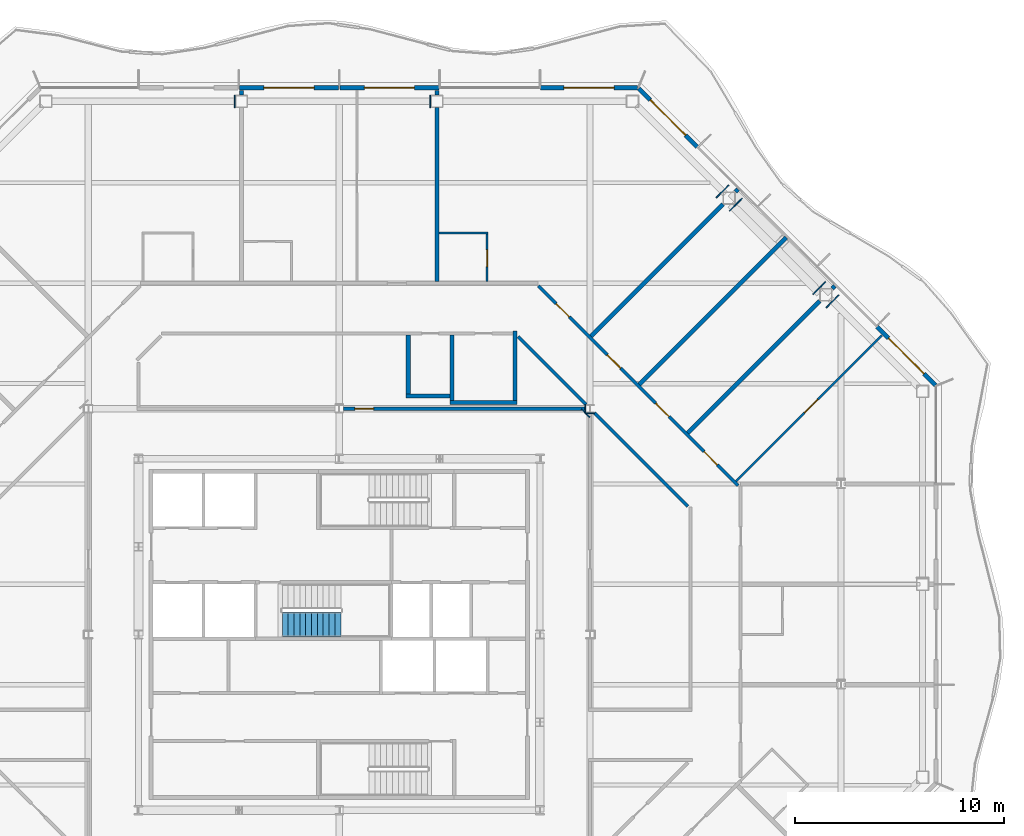
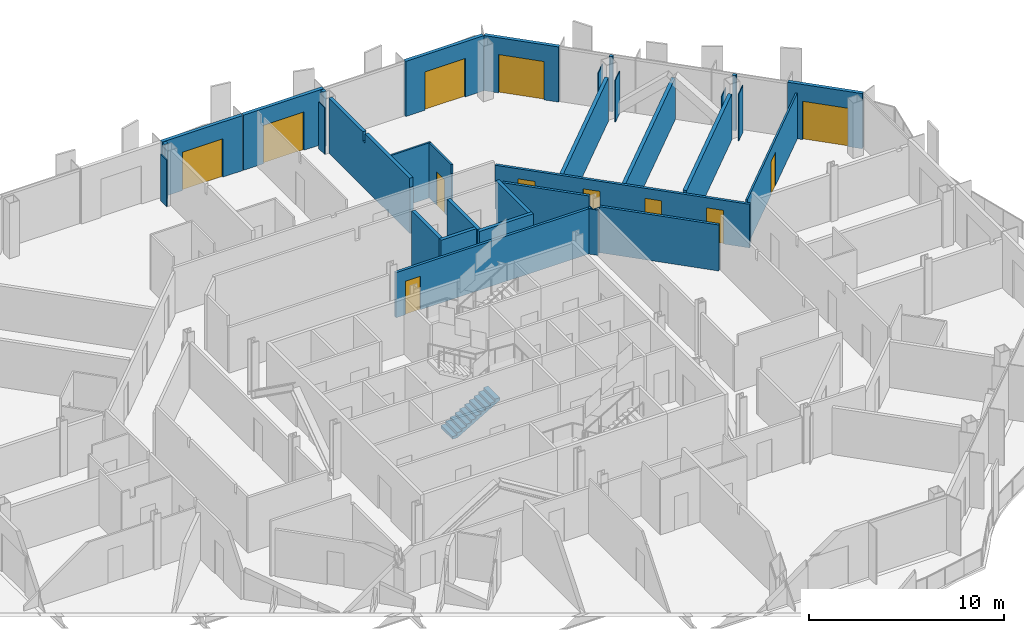
# One storey, part 13 of 21: 34 walls, 12 doors, 1 stair flight, 12 openings, 1 element without a shape of its own.
"""IFC4 building model written with IfcOpenShell, lengths in metres."""

from ifc_helpers import new_model, si_unit, direction, frame, frame_2d, origin, place, context, subcontext, project, spatial, polyline, rectangle, outline, extrude, material, layer, layer_set, type_object, element, fill, aggregate, save


model = new_model("IFC4")

# Units and contexts
model_context = context("Model", 3, precision=1e-05, world=origin(), true_north=direction((0.0, 1.0)))
body_context = subcontext(model_context, "Body", "Model", "MODEL_VIEW")
ifc_project = project(units=[si_unit("LENGTHUNIT", "METRE"), si_unit("AREAUNIT", "SQUARE_METRE"), si_unit("VOLUMEUNIT", "CUBIC_METRE"), si_unit("PLANEANGLEUNIT", "RADIAN"), si_unit("MASSUNIT", "GRAM", prefix="KILO")], contexts=[model_context])

# Site, building, storey
site_placement = place(None, origin())
site = spatial("IfcSite", under=ifc_project, at=site_placement, CompositionType="ELEMENT")
building_placement = place(site_placement, origin())
building = spatial("IfcBuilding", under=site, at=building_placement, Name="Cairn Pilgrim Tower", CompositionType="ELEMENT")
storey_placement = place(building_placement, frame((0.0, 0.0, 154.199951171875)))
storey = spatial("IfcBuildingStorey", under=building, at=storey_placement, Name="L38", CompositionType="ELEMENT", Elevation=154.199951171875)

# Wall, opening, door
ifc_material_1 = material(Name="Bronze anodised aluminium insulated sandwich panel with mineral wool fill", Category="aluminium")
ifc_layer_1 = layer(ifc_material_1, 0.199951171875)
ifc_layer_set_1 = layer_set([ifc_layer_1], Name="BRONZE INFILL FRAME WALL 200")
wall_type_1 = type_object("IfcWallType", Name="BRONZE INFILL FRAME WALL 200", PredefinedType="NOTDEFINED", material=ifc_layer_set_1)
wall_1_placement = place(storey_placement, frame((35.7216796875, 14.32470703125, 0.0), z_axis=(0.0, 0.0, 1.0), x_axis=(-0.707106781187, 0.707106781187, 0.0)))
wall_1 = element("IfcWall", 1, at=wall_1_placement, inside=storey, type_object=wall_type_1, Name="Bronze infill frame wall IW-NE1", PredefinedType="NOTDEFINED", context=body_context, shape_type="SweptSolid", body=[
    extrude(rectangle(XDim=3.961669921875, YDim=0.199951171875, at=frame_2d((1.98095703125, 0.0))), origin(), (0.0, 0.0, 1.0), 3.449951171875),
])
opening_1_placement = place(wall_1_placement, frame((0.775390625, 0.0, 0.0)))
opening_1 = element("IfcOpeningElement", 2, at=opening_1_placement, cuts=wall_1, Name="Opening 3821B", PredefinedType="OPENING", context=body_context, shape_type="SweptSolid", body=[
    extrude(rectangle(XDim=2.39990234375, YDim=2.39990234375, at=frame_2d((1.199951171875, 1.199951171875))), frame((0.0, 0.10986328125, 0.0), z_axis=(0.0, -1.0, 0.0), x_axis=(1.0, 0.0, 0.0)), (0.0, 0.0, 1.0), 0.219970703125),
])
ifc_material_2 = material(Name="Bronze anodised aluminium frame with tinted low-E glass", Category="aluminium")
door_type_1 = type_object("IfcDoorType", Name="BALCONY SLIDING DOOR 2400x2400", OperationType="DOUBLE_DOOR_SLIDING", PredefinedType="DOOR", material=ifc_material_2)
door_1_placement = place(opening_1_placement, origin())
door_1 = element("IfcDoor", 3, at=door_1_placement, inside=storey, type_object=door_type_1, Name="Balcony sliding door 3821B", OperationType="SINGLE_SWING_LEFT", OverallHeight=2.39990234375, OverallWidth=2.39990234375, PredefinedType="DOOR", context=body_context, shape_type="SweptSolid", body=[
    extrude(rectangle(XDim=2.39990234375, YDim=2.39990234375, at=frame_2d((1.199951171875, 1.199951171875))), frame((0.0, 0.02490234375, 0.0), z_axis=(0.0, -1.0, 0.0), x_axis=(1.0, 0.0, 0.0)), (0.0, 0.0, 1.0), 0.050048828125),
])
fill(opening_1, door_1)

wall_2_placement = place(storey_placement, frame((24.325927734375, 25.720458984375, 0.0), z_axis=(0.0, 0.0, 1.0), x_axis=(-0.707106781187, 0.707106781187, 0.0)))
wall_2 = element("IfcWall", 4, at=wall_2_placement, inside=storey, type_object=wall_type_1, Name="Bronze infill frame wall IW-NE5", PredefinedType="NOTDEFINED", context=body_context, shape_type="SweptSolid", body=[
    extrude(rectangle(XDim=3.961669921875, YDim=0.199951171875, at=frame_2d((1.98095703125, 0.0))), origin(), (0.0, 0.0, 1.0), 3.449951171875),
])
opening_2_placement = place(wall_2_placement, frame((0.78564453125, 0.0, 0.0)))
opening_2 = element("IfcOpeningElement", 5, at=opening_2_placement, cuts=wall_2, Name="Opening 3809B", PredefinedType="OPENING", context=body_context, shape_type="SweptSolid", body=[
    extrude(rectangle(XDim=2.39990234375, YDim=2.39990234375, at=frame_2d((1.199951171875, 1.199951171875))), frame((0.0, 0.10986328125, 0.0), z_axis=(0.0, -1.0, 0.0), x_axis=(1.0, 0.0, 0.0)), (0.0, 0.0, 1.0), 0.219970703125),
])
door_2_placement = place(opening_2_placement, origin())
door_2 = element("IfcDoor", 6, at=door_2_placement, inside=storey, type_object=door_type_1, Name="Balcony sliding door 3809B", OperationType="SINGLE_SWING_LEFT", OverallHeight=2.39990234375, OverallWidth=2.39990234375, PredefinedType="DOOR", context=body_context, shape_type="SweptSolid", body=[
    extrude(rectangle(XDim=2.39990234375, YDim=2.39990234375, at=frame_2d((1.199951171875, 1.199951171875))), frame((0.0, 0.02490234375, 0.0), z_axis=(0.0, -1.0, 0.0), x_axis=(1.0, 0.0, 0.0)), (0.0, 0.0, 1.0), 0.050048828125),
])
fill(opening_2, door_2)

wall_3_placement = place(storey_placement, frame((21.45654296875, 28.550048828125, 0.0), z_axis=(0.0, 0.0, 1.0), x_axis=(-1.0, 0.0, 0.0)))
wall_3 = element("IfcWall", 7, at=wall_3_placement, inside=storey, type_object=wall_type_1, Name="Bronze infill frame wall IW-N1", PredefinedType="NOTDEFINED", context=body_context, shape_type="SweptSolid", body=[
    extrude(rectangle(XDim=4.62646484375, YDim=0.199951171875, at=frame_2d((2.313232421875, 0.0))), origin(), (0.0, 0.0, 1.0), 3.449951171875),
])
opening_3_placement = place(wall_3_placement, frame((1.1083984375, 0.0, 0.0)))
opening_3 = element("IfcOpeningElement", 8, at=opening_3_placement, cuts=wall_3, Name="Opening 3809B2", PredefinedType="OPENING", context=body_context, shape_type="SweptSolid", body=[
    extrude(rectangle(XDim=2.39990234375, YDim=2.39990234375, at=frame_2d((1.199951171875, 1.199951171875))), frame((0.0, 0.10986328125, 0.0), z_axis=(0.0, -1.0, 0.0), x_axis=(1.0, 0.0, 0.0)), (0.0, 0.0, 1.0), 0.219970703125),
])
door_3_placement = place(opening_3_placement, origin())
door_3 = element("IfcDoor", 9, at=door_3_placement, inside=storey, type_object=door_type_1, Name="Balcony sliding door 3809B2", OperationType="SINGLE_SWING_LEFT", OverallHeight=2.39990234375, OverallWidth=2.39990234375, PredefinedType="DOOR", context=body_context, shape_type="SweptSolid", body=[
    extrude(rectangle(XDim=2.39990234375, YDim=2.39990234375, at=frame_2d((1.199951171875, 1.199951171875))), frame((0.0, 0.02490234375, 0.0), z_axis=(0.0, -1.0, 0.0), x_axis=(1.0, 0.0, 0.0)), (0.0, 0.0, 1.0), 0.050048828125),
])
fill(opening_3, door_3)

wall_4_placement = place(storey_placement, frame((11.969970703125, 28.550048828125, 0.0), z_axis=(0.0, 0.0, 1.0), x_axis=(-1.0, 0.0, 0.0)))
wall_4 = element("IfcWall", 10, at=wall_4_placement, inside=storey, type_object=wall_type_1, Name="Bronze infill frame wall IW-N3", PredefinedType="NOTDEFINED", context=body_context, shape_type="SweptSolid", body=[
    extrude(rectangle(XDim=4.739990234375, YDim=0.199951171875, at=frame_2d((2.3701171875, 0.0))), origin(), (0.0, 0.0, 1.0), 3.449951171875),
])
opening_4_placement = place(wall_4_placement, frame((1.17041015625, 0.0, 0.0)))
opening_4 = element("IfcOpeningElement", 11, at=opening_4_placement, cuts=wall_4, Name="Opening 3810B", PredefinedType="OPENING", context=body_context, shape_type="SweptSolid", body=[
    extrude(rectangle(XDim=2.39990234375, YDim=2.39990234375, at=frame_2d((1.199951171875, 1.199951171875))), frame((0.0, 0.10986328125, 0.0), z_axis=(0.0, -1.0, 0.0), x_axis=(1.0, 0.0, 0.0)), (0.0, 0.0, 1.0), 0.219970703125),
])
door_4_placement = place(opening_4_placement, origin())
door_4 = element("IfcDoor", 12, at=door_4_placement, inside=storey, type_object=door_type_1, Name="Balcony sliding door 3810B", OperationType="SINGLE_SWING_LEFT", OverallHeight=2.39990234375, OverallWidth=2.39990234375, PredefinedType="DOOR", context=body_context, shape_type="SweptSolid", body=[
    extrude(rectangle(XDim=2.39990234375, YDim=2.39990234375, at=frame_2d((1.199951171875, 1.199951171875))), frame((0.0, 0.02490234375, 0.0), z_axis=(0.0, -1.0, 0.0), x_axis=(1.0, 0.0, 0.0)), (0.0, 0.0, 1.0), 0.050048828125),
])
fill(opening_4, door_4)

wall_5_placement = place(storey_placement, frame((7.169921875, 28.550048828125, 0.0), z_axis=(0.0, 0.0, 1.0), x_axis=(-1.0, 0.0, 0.0)))
wall_5 = element("IfcWall", 13, at=wall_5_placement, inside=storey, type_object=wall_type_1, Name="Bronze infill frame wall IW-N4", PredefinedType="NOTDEFINED", context=body_context, shape_type="SweptSolid", body=[
    extrude(rectangle(XDim=4.739990234375, YDim=0.199951171875, at=frame_2d((2.3701171875, 0.0))), origin(), (0.0, 0.0, 1.0), 3.449951171875),
])
opening_5_placement = place(wall_5_placement, frame((1.17041015625, 0.0, 0.0)))
opening_5 = element("IfcOpeningElement", 14, at=opening_5_placement, cuts=wall_5, Name="Opening 3810SB", PredefinedType="OPENING", context=body_context, shape_type="SweptSolid", body=[
    extrude(rectangle(XDim=2.39990234375, YDim=2.39990234375, at=frame_2d((1.199951171875, 1.199951171875))), frame((0.0, 0.10986328125, 0.0), z_axis=(0.0, -1.0, 0.0), x_axis=(1.0, 0.0, 0.0)), (0.0, 0.0, 1.0), 0.219970703125),
])
door_5_placement = place(opening_5_placement, origin())
door_5 = element("IfcDoor", 15, at=door_5_placement, inside=storey, type_object=door_type_1, Name="Balcony sliding door 3810SB", OperationType="SINGLE_SWING_LEFT", OverallHeight=2.39990234375, OverallWidth=2.39990234375, PredefinedType="DOOR", context=body_context, shape_type="SweptSolid", body=[
    extrude(rectangle(XDim=2.39990234375, YDim=2.39990234375, at=frame_2d((1.199951171875, 1.199951171875))), frame((0.0, 0.02490234375, 0.0), z_axis=(0.0, -1.0, 0.0), x_axis=(1.0, 0.0, 0.0)), (0.0, 0.0, 1.0), 0.050048828125),
])
fill(opening_5, door_5)

ifc_material_3 = material(Name="Gypsum partition")
ifc_layer_2 = layer(ifc_material_3, 0.10009765625)
ifc_layer_set_2 = layer_set([ifc_layer_2], Name="PARTITION 100 DRYWALL")
wall_type_2 = type_object("IfcWallType", Name="PARTITION 100 DRYWALL", PredefinedType="PARTITIONING", material=ifc_layer_set_2)
wall_6_placement = place(storey_placement, frame((26.174072265625, 9.72607421875, 0.0), z_axis=(0.0, 0.0, 1.0), x_axis=(0.707106781187, 0.707106781187, 0.0)))
wall_6 = element("IfcWall", 16, at=wall_6_placement, inside=storey, type_object=wall_type_2, Name="PARTITION W075", PredefinedType="PARTITIONING", context=body_context, shape_type="SweptSolid", body=[
    extrude(rectangle(XDim=9.872802734375, YDim=0.10009765625, at=frame_2d((4.9365234375, 0.0))), origin(), (0.0, 0.0, 1.0), 2.880126953125),
])
opening_6_placement = place(wall_6_placement, frame((4.638916015625, 0.0, 0.0)))
opening_6 = element("IfcOpeningElement", 17, at=opening_6_placement, cuts=wall_6, Name="Opening 3821", PredefinedType="OPENING", context=body_context, shape_type="SweptSolid", body=[
    extrude(rectangle(XDim=0.89990234375, YDim=2.10009765625, at=frame_2d((0.449951171875, 1.050048828125))), frame((0.0, 0.06005859375, 0.0), z_axis=(0.0, -1.0, 0.0), x_axis=(1.0, 0.0, 0.0)), (0.0, 0.0, 1.0), 0.1201171875),
])
ifc_material_4 = material(Name="Timber door leaf", Category="wood")
door_type_2 = type_object("IfcDoorType", Name="SERVICE DOOR 900x2100", OperationType="NOTDEFINED", PredefinedType="DOOR", material=ifc_material_4)
door_6_placement = place(opening_6_placement, origin())
door_6 = element("IfcDoor", 18, at=door_6_placement, inside=storey, type_object=door_type_2, Name="DOOR 3821", OperationType="SINGLE_SWING_RIGHT", OverallHeight=2.10009765625, OverallWidth=0.89990234375, PredefinedType="DOOR", context=body_context, shape_type="SweptSolid", body=[
    extrude(rectangle(XDim=0.89990234375, YDim=2.10009765625, at=frame_2d((0.449951171875, 1.050048828125))), frame((0.0, 0.02490234375, 0.0), z_axis=(0.0, -1.0, 0.0), x_axis=(1.0, 0.0, 0.0)), (0.0, 0.0, 1.0), 0.050048828125),
])
fill(opening_6, door_6)

wall_7_placement = place(storey_placement, frame((14.27587890625, 19.27490234375, 0.0), z_axis=(0.0, 0.0, 1.0), x_axis=(0.0, 1.0, 0.0)))
wall_7 = element("IfcWall", 19, at=wall_7_placement, inside=storey, type_object=wall_type_2, Name="PARTITION W102", PredefinedType="PARTITIONING", context=body_context, shape_type="SweptSolid", body=[
    extrude(outline(polyline([(0.0, 0.0), (2.275146484375, 0.0), (2.27490234375, 3.449951171875), (0.030029296875, 3.449951171875), (0.028076171875, 2.880126953125), (0.0, 2.880126953125), (0.0, 0.0)])), frame((0.0, 0.050048828125, 0.0), z_axis=(0.0, -1.0, 0.0), x_axis=(1.0, 0.0, 0.0)), (0.0, 0.0, 1.0), 0.10009765625),
])
opening_7_placement = place(wall_7_placement, frame((0.72509765625, 0.0, 0.0)))
opening_7 = element("IfcOpeningElement", 20, at=opening_7_placement, cuts=wall_7, Name="Opening 3809A", PredefinedType="OPENING", context=body_context, shape_type="SweptSolid", body=[
    extrude(rectangle(XDim=0.800048828125, YDim=2.10009765625, at=frame_2d((0.39990234375, 1.050048828125))), frame((0.0, 0.06005859375, 0.0), z_axis=(0.0, -1.0, 0.0), x_axis=(1.0, 0.0, 0.0)), (0.0, 0.0, 1.0), 0.1201171875),
])
door_type_3 = type_object("IfcDoorType", Name="WC DOOR 800x2100", OperationType="NOTDEFINED", PredefinedType="DOOR", material=ifc_material_4)
door_7_placement = place(opening_7_placement, frame((0.800048828125, 0.0, 0.0), z_axis=(0.0, 0.0, 1.0), x_axis=(-1.0, 0.0, 0.0)))
door_7 = element("IfcDoor", 21, at=door_7_placement, inside=storey, type_object=door_type_3, Name="DOOR 3809A", OperationType="SINGLE_SWING_LEFT", OverallHeight=2.10009765625, OverallWidth=0.800048828125, PredefinedType="DOOR", context=body_context, shape_type="SweptSolid", body=[
    extrude(rectangle(XDim=0.800048828125, YDim=2.10009765625, at=frame_2d((0.39990234375, 1.050048828125))), frame((0.0, 0.02490234375, 0.0), z_axis=(0.0, -1.0, 0.0), x_axis=(1.0, 0.0, 0.0)), (0.0, 0.0, 1.0), 0.050048828125),
])
fill(opening_7, door_7)

# Walls
wall_8_placement = place(storey_placement, frame((11.97607421875, 21.60009765625, 0.0), z_axis=(0.0, 0.0, 1.0), x_axis=(1.0, 0.0, 0.0)))
element("IfcWall", 22, at=wall_8_placement, inside=storey, type_object=wall_type_2, Name="PARTITION W106", PredefinedType="PARTITIONING", context=body_context, shape_type="SweptSolid", body=[
    extrude(rectangle(XDim=2.349853515625, YDim=0.10009765625, at=frame_2d((1.1748046875, 0.0))), origin(), (0.0, 0.0, 1.0), 3.449951171875),
])
ifc_layer_3 = layer(ifc_material_3, 0.14990234375)
ifc_layer_set_3 = layer_set([ifc_layer_3], Name="PARTITION 150 DRYWALL EI 60")
wall_type_3 = type_object("IfcWallType", Name="PARTITION 150 DRYWALL EI 60", PredefinedType="PARTITIONING", material=ifc_layer_set_3)
wall_9_placement = place(storey_placement, frame((23.8720703125, 8.528076171875, 0.0), z_axis=(0.0, 0.0, 1.0), x_axis=(-0.707126073897, 0.70708748795, 0.0)))
element("IfcWall", 23, at=wall_9_placement, inside=storey, type_object=wall_type_3, Name="PARTITION W067", PredefinedType="PARTITIONING", context=body_context, shape_type="SweptSolid", body=[
    extrude(rectangle(XDim=6.3271484375, YDim=0.14990234375, at=frame_2d((3.16357421875, 0.0))), origin(), (0.0, 0.0, 1.0), 2.880126953125),
])

# Wall, openings, doors
wall_10_placement = place(storey_placement, frame((26.27197265625, 9.52197265625, 0.0), z_axis=(0.0, 0.0, 1.0), x_axis=(-0.707097742657, 0.707115819601, 0.0)))
wall_10 = element("IfcWall", 24, at=wall_10_placement, inside=storey, type_object=wall_type_3, Name="PARTITION W069", PredefinedType="PARTITIONING", context=body_context, shape_type="SweptSolid", body=[
    extrude(rectangle(XDim=13.505615234375, YDim=0.14990234375, at=frame_2d((6.7529296875, 0.0))), origin(), (0.0, 0.0, 1.0), 2.72998046875),
])
opening_8_placement = place(wall_10_placement, frame((1.398193359375, 0.0, 0.0)))
opening_8 = element("IfcOpeningElement", 25, at=opening_8_placement, cuts=wall_10, Name="Opening 3806", PredefinedType="OPENING", context=body_context, shape_type="SweptSolid", body=[
    extrude(rectangle(XDim=0.89990234375, YDim=2.10009765625, at=frame_2d((0.449951171875, 1.050048828125))), frame((0.0, 0.0849609375, 0.0), z_axis=(0.0, -1.0, 0.0), x_axis=(1.0, 0.0, 0.0)), (0.0, 0.0, 1.0), 0.169921875),
])
opening_9_placement = place(wall_10_placement, frame((4.667724609375, 0.0, 0.0)))
opening_9 = element("IfcOpeningElement", 26, at=opening_9_placement, cuts=wall_10, Name="Opening 3807", PredefinedType="OPENING", context=body_context, shape_type="SweptSolid", body=[
    extrude(rectangle(XDim=0.89990234375, YDim=2.10009765625, at=frame_2d((0.449951171875, 1.050048828125))), frame((0.0, 0.0849609375, 0.0), z_axis=(0.0, -1.0, 0.0), x_axis=(1.0, 0.0, 0.0)), (0.0, 0.0, 1.0), 0.169921875),
])
opening_10_placement = place(wall_10_placement, frame((7.9375, 0.0, 0.0)))
opening_10 = element("IfcOpeningElement", 27, at=opening_10_placement, cuts=wall_10, Name="Opening 3808", PredefinedType="OPENING", context=body_context, shape_type="SweptSolid", body=[
    extrude(rectangle(XDim=0.89990234375, YDim=2.10009765625, at=frame_2d((0.449951171875, 1.050048828125))), frame((0.0, 0.0849609375, 0.0), z_axis=(0.0, -1.0, 0.0), x_axis=(1.0, 0.0, 0.0)), (0.0, 0.0, 1.0), 0.169921875),
])
opening_11_placement = place(wall_10_placement, frame((11.40478515625, 0.0, 0.0)))
opening_11 = element("IfcOpeningElement", 28, at=opening_11_placement, cuts=wall_10, Name="Opening 3809", PredefinedType="OPENING", context=body_context, shape_type="SweptSolid", body=[
    extrude(rectangle(XDim=0.89990234375, YDim=2.10009765625, at=frame_2d((0.449951171875, 1.050048828125))), frame((0.0, 0.0849609375, 0.0), z_axis=(0.0, -1.0, 0.0), x_axis=(1.0, 0.0, 0.0)), (0.0, 0.0, 1.0), 0.169921875),
])
door_type_4 = type_object("IfcDoorType", Name="ROOM DOOR 900x2100 FD30S", OperationType="NOTDEFINED", PredefinedType="DOOR", material=ifc_material_4)
door_8_placement = place(opening_8_placement, frame((0.89990234375, 0.0, 0.0), z_axis=(0.0, 0.0, 1.0), x_axis=(-1.0, 0.0, 0.0)))
door_8 = element("IfcDoor", 29, at=door_8_placement, inside=storey, type_object=door_type_4, Name="DOOR 3806", OperationType="SINGLE_SWING_LEFT", OverallHeight=2.10009765625, OverallWidth=0.89990234375, PredefinedType="DOOR", context=body_context, shape_type="SweptSolid", body=[
    extrude(rectangle(XDim=0.89990234375, YDim=2.10009765625, at=frame_2d((0.449951171875, 1.050048828125))), frame((0.0, 0.02490234375, 0.0), z_axis=(0.0, -1.0, 0.0), x_axis=(1.0, 0.0, 0.0)), (0.0, 0.0, 1.0), 0.050048828125),
])
fill(opening_8, door_8)
door_9_placement = place(opening_11_placement, frame((0.89990234375, 0.0, 0.0), z_axis=(0.0, 0.0, 1.0), x_axis=(-1.0, 0.0, 0.0)))
door_9 = element("IfcDoor", 30, at=door_9_placement, inside=storey, type_object=door_type_4, Name="DOOR 3809", OperationType="SINGLE_SWING_LEFT", OverallHeight=2.10009765625, OverallWidth=0.89990234375, PredefinedType="DOOR", context=body_context, shape_type="SweptSolid", body=[
    extrude(rectangle(XDim=0.89990234375, YDim=2.10009765625, at=frame_2d((0.449951171875, 1.050048828125))), frame((0.0, 0.02490234375, 0.0), z_axis=(0.0, -1.0, 0.0), x_axis=(1.0, 0.0, 0.0)), (0.0, 0.0, 1.0), 0.050048828125),
])
fill(opening_11, door_9)
door_type_5 = type_object("IfcDoorType", Name="SERVICE DOOR 900x2100 FD30S", OperationType="NOTDEFINED", PredefinedType="DOOR", material=ifc_material_4)
door_10_placement = place(opening_9_placement, frame((0.89990234375, 0.0, 0.0), z_axis=(0.0, 0.0, 1.0), x_axis=(-1.0, 0.0, 0.0)))
door_10 = element("IfcDoor", 31, at=door_10_placement, inside=storey, type_object=door_type_5, Name="DOOR 3807", OperationType="SINGLE_SWING_LEFT", OverallHeight=2.10009765625, OverallWidth=0.89990234375, PredefinedType="DOOR", context=body_context, shape_type="SweptSolid", body=[
    extrude(rectangle(XDim=0.89990234375, YDim=2.10009765625, at=frame_2d((0.449951171875, 1.050048828125))), frame((0.0, 0.02490234375, 0.0), z_axis=(0.0, -1.0, 0.0), x_axis=(1.0, 0.0, 0.0)), (0.0, 0.0, 1.0), 0.050048828125),
])
fill(opening_9, door_10)
door_11_placement = place(opening_10_placement, frame((0.89990234375, 0.0, 0.0), z_axis=(0.0, 0.0, 1.0), x_axis=(-1.0, 0.0, 0.0)))
door_11 = element("IfcDoor", 32, at=door_11_placement, inside=storey, type_object=door_type_5, Name="DOOR 3808", OperationType="SINGLE_SWING_LEFT", OverallHeight=2.10009765625, OverallWidth=0.89990234375, PredefinedType="DOOR", context=body_context, shape_type="SweptSolid", body=[
    extrude(rectangle(XDim=0.89990234375, YDim=2.10009765625, at=frame_2d((0.449951171875, 1.050048828125))), frame((0.0, 0.02490234375, 0.0), z_axis=(0.0, -1.0, 0.0), x_axis=(1.0, 0.0, 0.0)), (0.0, 0.0, 1.0), 0.050048828125),
])
fill(opening_10, door_11)

# Wall, opening, door
wall_11_placement = place(storey_placement, frame((7.3994140625, 13.199951171875, 0.0), z_axis=(0.0, 0.0, 1.0), x_axis=(1.0, 0.0, 0.0)))
wall_11 = element("IfcWall", 33, at=wall_11_placement, inside=storey, type_object=wall_type_3, Name="PARTITION W081", PredefinedType="PARTITIONING", context=body_context, shape_type="SweptSolid", body=[
    extrude(rectangle(XDim=11.60107421875, YDim=0.14990234375, at=frame_2d((5.800537109375, 0.0))), origin(), (0.0, 0.0, 1.0), 2.830078125),
])
opening_12_placement = place(wall_11_placement, frame((0.550537109375, 0.0, 0.0)))
opening_12 = element("IfcOpeningElement", 34, at=opening_12_placement, cuts=wall_11, Name="Opening 3827", PredefinedType="OPENING", context=body_context, shape_type="SweptSolid", body=[
    extrude(rectangle(XDim=0.89990234375, YDim=2.10009765625, at=frame_2d((0.449951171875, 1.050048828125))), frame((0.0, 0.0849609375, 0.0), z_axis=(0.0, -1.0, 0.0), x_axis=(1.0, 0.0, 0.0)), (0.0, 0.0, 1.0), 0.169921875),
])
door_12_placement = place(opening_12_placement, origin())
door_12 = element("IfcDoor", 35, at=door_12_placement, inside=storey, type_object=door_type_5, Name="DOOR 3827", OperationType="SINGLE_SWING_LEFT", OverallHeight=2.10009765625, OverallWidth=0.89990234375, PredefinedType="DOOR", context=body_context, shape_type="SweptSolid", body=[
    extrude(rectangle(XDim=0.89990234375, YDim=2.10009765625, at=frame_2d((0.449951171875, 1.050048828125))), frame((0.0, 0.02490234375, 0.0), z_axis=(0.0, -1.0, 0.0), x_axis=(1.0, 0.0, 0.0)), (0.0, 0.0, 1.0), 0.050048828125),
])
fill(opening_12, door_12)

# Walls
wall_12_placement = place(storey_placement, frame((19.001953125, 13.39794921875, 0.0), z_axis=(0.0, 0.0, 1.0), x_axis=(-0.707106781187, 0.707106781187, 0.0)))
element("IfcWall", 36, at=wall_12_placement, inside=storey, type_object=wall_type_3, Name="PARTITION W083", PredefinedType="PARTITIONING", context=body_context, shape_type="SweptSolid", body=[
    extrude(rectangle(XDim=4.5947265625, YDim=0.14990234375, at=frame_2d((2.29736328125, 0.0))), origin(), (0.0, 0.0, 1.0), 3.449951171875),
])
ifc_layer_4 = layer(ifc_material_3, 0.050048828125)
ifc_layer_set_4 = layer_set([ifc_layer_4], Name="PARTITION 50 DRYWALL EI 60")
wall_type_4 = type_object("IfcWallType", Name="PARTITION 50 DRYWALL EI 60", PredefinedType="PARTITIONING", material=ifc_layer_set_4)
wall_13_placement = place(storey_placement, frame((18.9755859375, 13.00341796875, 0.0), z_axis=(0.0, 0.0, 1.0), x_axis=(0.0, 1.0, 0.0)))
element("IfcWall", 37, at=wall_13_placement, inside=storey, type_object=wall_type_4, Name="COLUMN CASING WC20", PredefinedType="PARTITIONING", context=body_context, shape_type="SweptSolid", body=[
    extrude(rectangle(XDim=0.39306640625, YDim=0.050048828125, at=frame_2d((0.196533203125, 0.0))), origin(), (0.0, 0.0, 1.0), 2.830078125),
])
wall_14_placement = place(storey_placement, frame((19.182373046875, 12.786376953125, 0.0), z_axis=(0.0, 0.0, 1.0), x_axis=(-0.707106781187, 0.707106781187, 0.0)))
element("IfcWall", 38, at=wall_14_placement, inside=storey, type_object=wall_type_4, Name="COLUMN CASING WC26", PredefinedType="PARTITIONING", context=body_context, shape_type="SweptSolid", body=[
    extrude(rectangle(XDim=0.56005859375, YDim=0.050048828125, at=frame_2d((0.280029296875, 0.0))), origin(), (0.0, 0.0, 1.0), 2.830078125),
])
wall_15_placement = place(storey_placement, frame((29.85791015625, 18.669189453125, 0.0), z_axis=(0.0, 0.0, 1.0), x_axis=(0.707106781187, 0.707106781187, 0.0)))
element("IfcWall", 39, at=wall_15_placement, inside=storey, type_object=wall_type_4, Name="COLUMN CASING WC29", PredefinedType="PARTITIONING", context=body_context, shape_type="SweptSolid", body=[
    extrude(rectangle(XDim=0.8486328125, YDim=0.050048828125, at=frame_2d((0.42431640625, 0.0))), origin(), (0.0, 0.0, 1.0), 2.630126953125),
])
wall_16_placement = place(storey_placement, frame((30.493408203125, 18.03369140625, 0.0), z_axis=(0.0, 0.0, 1.0), x_axis=(0.707106781187, 0.707106781187, 0.0)))
element("IfcWall", 40, at=wall_16_placement, inside=storey, type_object=wall_type_4, Name="COLUMN CASING WC30", PredefinedType="PARTITIONING", context=body_context, shape_type="SweptSolid", body=[
    extrude(rectangle(XDim=0.8486328125, YDim=0.050048828125, at=frame_2d((0.42431640625, 0.0))), origin(), (0.0, 0.0, 1.0), 2.929931640625),
])
wall_17_placement = place(storey_placement, frame((19.00048828125, 12.978515625, 0.0), z_axis=(0.0, 0.0, 1.0), x_axis=(1.0, 0.0, 0.0)))
element("IfcWall", 41, at=wall_17_placement, inside=storey, type_object=wall_type_4, Name="COLUMN CASING WC33", PredefinedType="PARTITIONING", context=body_context, shape_type="SweptSolid", body=[
    extrude(rectangle(XDim=0.39892578125, YDim=0.050048828125, at=frame_2d((0.199462890625, 0.0))), origin(), (0.0, 0.0, 1.0), 2.830078125),
])
wall_18_placement = place(storey_placement, frame((25.23388671875, 23.29345703125, 0.0), z_axis=(0.0, 0.0, 1.0), x_axis=(0.707106781187, 0.707106781187, 0.0)))
element("IfcWall", 42, at=wall_18_placement, inside=storey, type_object=wall_type_4, Name="COLUMN CASING WC36", PredefinedType="PARTITIONING", context=body_context, shape_type="SweptSolid", body=[
    extrude(rectangle(XDim=0.848388671875, YDim=0.050048828125, at=frame_2d((0.42431640625, 0.0))), origin(), (0.0, 0.0, 1.0), 2.929931640625),
])
wall_19_placement = place(storey_placement, frame((25.869140625, 22.657958984375, 0.0), z_axis=(0.0, 0.0, 1.0), x_axis=(0.707106781187, 0.707106781187, 0.0)))
element("IfcWall", 43, at=wall_19_placement, inside=storey, type_object=wall_type_4, Name="COLUMN CASING WC37", PredefinedType="PARTITIONING", context=body_context, shape_type="SweptSolid", body=[
    extrude(rectangle(XDim=0.8486328125, YDim=0.050048828125, at=frame_2d((0.42431640625, 0.0))), origin(), (0.0, 0.0, 1.0), 2.630126953125),
])
for number, where, z_axis, x_axis, name in (
    (44, (2.19921875, 27.60009765625, 0.0), (0.0, 0.0, 1.0), (0.0, 1.0, 0.0), "COLUMN CASING WC38"),
    (45, (11.55078125, 27.60009765625, 0.0), (0.0, 0.0, 1.0), (0.0, 1.0, 0.0), "COLUMN CASING WC39"),
):
    element("IfcWall", number, at=place(storey_placement, frame(where, z_axis=z_axis, x_axis=x_axis)), inside=storey, type_object=wall_type_4, Name=name, PredefinedType="PARTITIONING", context=body_context, shape_type="SweptSolid", body=[
        extrude(rectangle(XDim=0.599853515625, YDim=0.050048828125, at=frame_2d((0.2998046875, 0.0))), origin(), (0.0, 0.0, 1.0), 2.929931640625),
    ])
ifc_layer_5 = layer(ifc_material_3, 0.199951171875)
ifc_layer_set_5 = layer_set([ifc_layer_5], Name="SHAFT WALL 200 GYPSUM EI 60")
wall_type_5 = type_object("IfcWallType", Name="SHAFT WALL 200 GYPSUM EI 60", PredefinedType="PARTITIONING", material=ifc_layer_set_5)
wall_20_placement = place(storey_placement, frame((23.862060546875, 12.0380859375, 0.0), z_axis=(0.0, 0.0, 1.0), x_axis=(0.707106781187, 0.707106781187, 0.0)))
element("IfcWall", 46, at=wall_20_placement, inside=storey, type_object=wall_type_5, Name="PARTITION W078", PredefinedType="PARTITIONING", context=body_context, shape_type="SweptSolid", body=[
    extrude(rectangle(XDim=8.9287109375, YDim=0.199951171875, at=frame_2d((4.46435546875, 0.0))), origin(), (0.0, 0.0, 1.0), 2.880126953125),
])
wall_21_placement = place(storey_placement, frame((12.5, 13.5, 0.0), z_axis=(0.0, 0.0, 1.0), x_axis=(1.0, 0.0, 0.0)))
element("IfcWall", 47, at=wall_21_placement, inside=storey, type_object=wall_type_5, Name="PARTITION W084", PredefinedType="PARTITIONING", context=body_context, shape_type="SweptSolid", body=[
    extrude(rectangle(XDim=3.199951171875, YDim=0.199951171875, at=frame_2d((1.60009765625, 0.0))), origin(), (0.0, 0.0, 1.0), 3.449951171875),
])
wall_22_placement = place(storey_placement, frame((12.60009765625, 13.60009765625, 0.0), z_axis=(0.0, 0.0, 1.0), x_axis=(0.0, 1.0, 0.0)))
element("IfcWall", 48, at=wall_22_placement, inside=storey, type_object=wall_type_5, Name="PARTITION W085", PredefinedType="PARTITIONING", context=body_context, shape_type="SweptSolid", body=[
    extrude(rectangle(XDim=3.125, YDim=0.199951171875, at=frame_2d((1.5625, 0.0))), origin(), (0.0, 0.0, 1.0), 3.449951171875),
])
wall_23_placement = place(storey_placement, frame((15.60009765625, 13.60009765625, 0.0), z_axis=(0.0, 0.0, 1.0), x_axis=(0.0, 1.0, 0.0)))
element("IfcWall", 49, at=wall_23_placement, inside=storey, type_object=wall_type_5, Name="PARTITION W086", PredefinedType="PARTITIONING", context=body_context, shape_type="SweptSolid", body=[
    extrude(rectangle(XDim=3.31640625, YDim=0.199951171875, at=frame_2d((1.658203125, 0.0))), origin(), (0.0, 0.0, 1.0), 3.449951171875),
])
wall_24_placement = place(storey_placement, frame((10.39990234375, 13.800048828125, 0.0), z_axis=(0.0, 0.0, 1.0), x_axis=(1.0, 0.0, 0.0)))
element("IfcWall", 50, at=wall_24_placement, inside=storey, type_object=wall_type_5, Name="PARTITION W087", PredefinedType="PARTITIONING", context=body_context, shape_type="SweptSolid", body=[
    extrude(rectangle(XDim=2.10009765625, YDim=0.199951171875, at=frame_2d((1.050048828125, 0.0))), origin(), (0.0, 0.0, 1.0), 3.449951171875),
])
wall_25_placement = place(storey_placement, frame((10.5, 13.89990234375, 0.0), z_axis=(0.0, 0.0, 1.0), x_axis=(0.0, 1.0, 0.0)))
element("IfcWall", 51, at=wall_25_placement, inside=storey, type_object=wall_type_5, Name="PARTITION W088", PredefinedType="PARTITIONING", context=body_context, shape_type="SweptSolid", body=[
    extrude(rectangle(XDim=2.8251953125, YDim=0.199951171875, at=frame_2d((1.41259765625, 0.0))), origin(), (0.0, 0.0, 1.0), 3.449951171875),
])
wall_26_placement = place(storey_placement, frame((21.550048828125, 14.35009765625, 0.0), z_axis=(0.0, 0.0, 1.0), x_axis=(0.707106781187, 0.707106781187, 0.0)))
element("IfcWall", 52, at=wall_26_placement, inside=storey, type_object=wall_type_5, Name="PARTITION W089", PredefinedType="PARTITIONING", context=body_context, shape_type="SweptSolid", body=[
    extrude(rectangle(XDim=9.943115234375, YDim=0.199951171875, at=frame_2d((4.9716796875, 0.0))), origin(), (0.0, 0.0, 1.0), 2.630126953125),
])
wall_27_placement = place(storey_placement, frame((19.238037109375, 16.662109375, 0.0), z_axis=(0.0, 0.0, 1.0), x_axis=(0.707106781187, 0.707106781187, 0.0)))
element("IfcWall", 53, at=wall_27_placement, inside=storey, type_object=wall_type_5, Name="PARTITION W092", PredefinedType="PARTITIONING", context=body_context, shape_type="SweptSolid", body=[
    extrude(rectangle(XDim=8.9287109375, YDim=0.199951171875, at=frame_2d((4.46435546875, 0.0))), origin(), (0.0, 0.0, 1.0), 2.72998046875),
])
wall_28_placement = place(storey_placement, frame((30.775634765625, 18.95166015625, 0.0), z_axis=(0.0, 0.0, 1.0), x_axis=(0.707106781187, 0.707106781187, 0.0)))
element("IfcWall", 54, at=wall_28_placement, inside=storey, type_object=wall_type_5, Name="PARTITION W094", PredefinedType="PARTITIONING", context=body_context, shape_type="SweptSolid", body=[
    extrude(rectangle(XDim=0.165771484375, YDim=0.199951171875, at=frame_2d((0.0830078125, 0.0))), origin(), (0.0, 0.0, 1.0), 3.449951171875),
])
wall_29_placement = place(storey_placement, frame((11.8759765625, 19.27490234375, 0.0), z_axis=(0.0, 0.0, 1.0), x_axis=(0.0, 1.0, 0.0)))
element("IfcWall", 55, at=wall_29_placement, inside=storey, type_object=wall_type_5, Name="PARTITION W101", PredefinedType="PARTITIONING", context=body_context, shape_type="SweptSolid", body=[
    extrude(outline(polyline([(0.0, 0.0), (8.3251953125, 0.0), (8.324951171875, 3.449951171875), (4.830078125, 3.449951171875), (4.827880859375, 2.880126953125), (4.6201171875, 2.880126953125), (4.617919921875, 3.449951171875), (0.030029296875, 3.449951171875), (0.028076171875, 2.880126953125), (0.0, 2.880126953125), (0.0, 0.0)])), frame((0.0, 0.10009765625, 0.0), z_axis=(0.0, -1.0, 0.0), x_axis=(1.0, 0.0, 0.0)), (0.0, 0.0, 1.0), 0.199951171875),
])
wall_30_placement = place(storey_placement, frame((26.151611328125, 23.57568359375, 0.0), z_axis=(0.0, 0.0, 1.0), x_axis=(0.707106781187, 0.707106781187, 0.0)))
element("IfcWall", 56, at=wall_30_placement, inside=storey, type_object=wall_type_5, Name="PARTITION W108", PredefinedType="PARTITIONING", context=body_context, shape_type="SweptSolid", body=[
    extrude(rectangle(XDim=0.165771484375, YDim=0.199951171875, at=frame_2d((0.0830078125, 0.0))), origin(), (0.0, 0.0, 1.0), 3.449951171875),
])
for number, where, z_axis, x_axis, name in (
    (57, (2.52392578125, 28.199951171875, 0.0), (0.0, 0.0, 1.0), (0.0, 1.0, 0.0), "PARTITION W109"),
    (58, (11.8759765625, 28.199951171875, 0.0), (0.0, 0.0, 1.0), (0.0, 1.0, 0.0), "PARTITION W110"),
):
    element("IfcWall", number, at=place(storey_placement, frame(where, z_axis=z_axis, x_axis=x_axis)), inside=storey, type_object=wall_type_5, Name=name, PredefinedType="PARTITIONING", context=body_context, shape_type="SweptSolid", body=[
        extrude(rectangle(XDim=0.219970703125, YDim=0.199951171875, at=frame_2d((0.10986328125, 0.0))), origin(), (0.0, 0.0, 1.0), 3.449951171875),
    ])

# Stair, stair flight
ifc_material_5 = material(Name="Concrete C32/40", Category="concrete")
stair_type = type_object("IfcStairType", Name="EXIT STAIR 1200", PredefinedType="HALF_TURN_STAIR", material=ifc_material_5)
stair_placement = place(storey_placement, origin())
stair = element("IfcStair", 59, at=stair_placement, inside=storey, type_object=stair_type, Name="L38 Exit Stair B", PredefinedType="HALF_TURN_STAIR")
stair_flight_type = type_object("IfcStairFlightType", Name="STAIR FLIGHT 1200", PredefinedType="STRAIGHT", material=ifc_material_5)
stair_flight_placement = place(storey_placement, frame((4.47509765625, 2.875, 0.0), z_axis=(0.0, 0.0, 1.0), x_axis=(1.0, 0.0, 0.0)))
stair_flight = element("IfcStairFlight", 60, at=stair_flight_placement, type_object=stair_flight_type, Name="ST-B flight 1", NumberOfRisers=11, NumberOfTreads=10, PredefinedType="STRAIGHT", RiserHeight=0.163636364, TreadLength=0.28, context=body_context, shape_type="SweptSolid", body=[
    extrude(outline(polyline([(0.0, 0.0), (0.0, 0.16357421875), (0.280029296875, 0.16357421875), (0.280029296875, 0.327392578125), (0.56005859375, 0.327392578125), (0.56005859375, 0.490966796875), (0.840087890625, 0.490966796875), (0.840087890625, 0.654541015625), (1.1201171875, 0.654541015625), (1.1201171875, 0.818115234375), (1.39990234375, 0.818115234375), (1.39990234375, 0.98193359375), (1.679931640625, 0.98193359375), (1.679931640625, 1.1455078125), (1.9599609375, 1.1455078125), (1.9599609375, 1.30908203125), (2.239990234375, 1.30908203125), (2.239990234375, 1.47265625), (2.52001953125, 1.47265625), (2.52001953125, 1.636474609375), (2.800048828125, 1.636474609375), (2.800048828125, 1.800048828125), (2.800048828125, 1.462646484375), (0.297119140625, 0.0), (0.0, 0.0)])), frame((0.0, 0.60009765625, 0.0), z_axis=(0.0, -1.0, 0.0), x_axis=(1.0, 0.0, 0.0)), (0.0, 0.0, 1.0), 1.199951171875),
])
aggregate(stair, [stair_flight])

save(model, "model.ifc")
